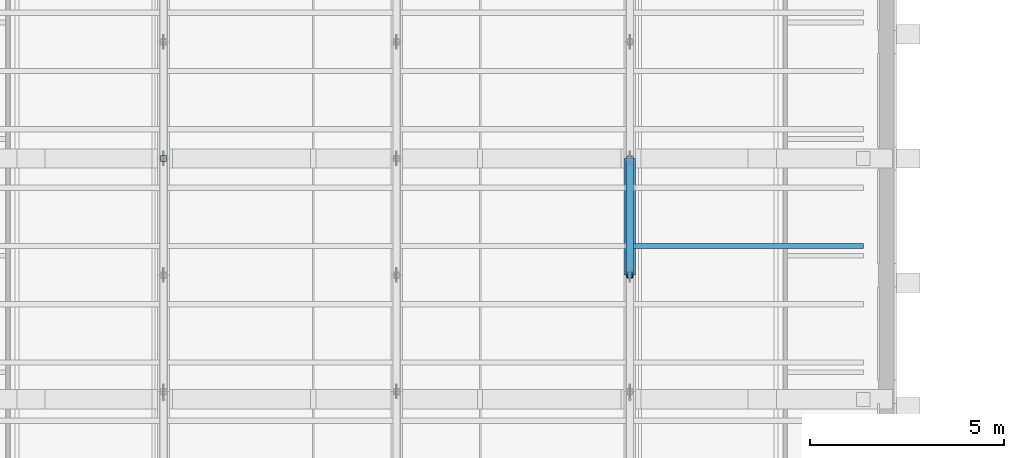
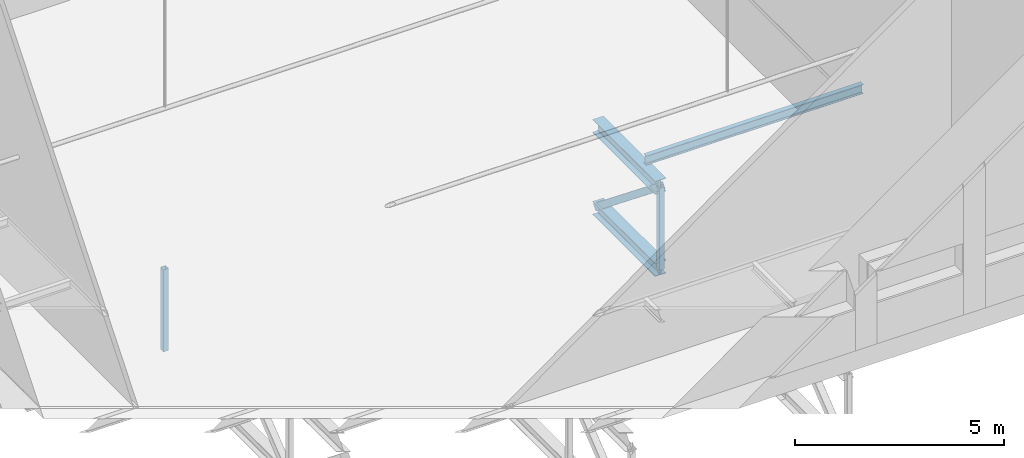
# One storey, part 15 of 55: 5 members, 1 beam.
"""IFC4 building model written with IfcOpenShell, lengths in metres."""

from ifc_helpers import new_model, si_unit, direction, frame, origin, origin_2d, place, context, subcontext, project, spatial, hollow_rectangle, i_section, extrude, material, material_profile, profile_set, type_object, element, save


model = new_model("IFC4")

# Units and contexts
model_context = context("Model", 3, precision=1e-05, world=origin(), true_north=direction((0.0, 1.0)))
body_context = subcontext(model_context, "Body", "Model", "MODEL_VIEW")
ifc_project = project(units=[si_unit("LENGTHUNIT", "METRE"), si_unit("AREAUNIT", "SQUARE_METRE"), si_unit("VOLUMEUNIT", "CUBIC_METRE"), si_unit("PLANEANGLEUNIT", "RADIAN"), si_unit("MASSUNIT", "GRAM", prefix="KILO")], contexts=[model_context])

# Site, building, storey
site_placement = place(None, origin())
site = spatial("IfcSite", under=ifc_project, at=site_placement, CompositionType="ELEMENT")
building_placement = place(site_placement, origin())
building = spatial("IfcBuilding", under=site, at=building_placement, Name="Lunette Opera House", CompositionType="ELEMENT")
storey_placement = place(building_placement, frame((0.0, 0.0, 34.0)))
storey = spatial("IfcBuildingStorey", under=building, at=storey_placement, Name="L06", CompositionType="ELEMENT", Elevation=34.0)

# Members
ifc_material_1 = material(Name="Steel S355", Category="steel")
ifc_material_profile_1 = material_profile(ifc_material_1, i_section(OverallWidth=0.300048828125, OverallDepth=0.389892578125, WebThickness=0.010986328125, FlangeThickness=0.01904296875, FilletRadius=0.027099609375, at=origin_2d()), Name="HEA 400")
ifc_profile_set_1 = profile_set([ifc_material_profile_1], Name="Steel S355")
member_type_1 = type_object("IfcMemberType", Name="CHORD HEA 400", PredefinedType="CHORD", material=ifc_profile_set_1)
for number, where, z_axis, x_axis, name in (
    (1, (102.0, 105.0, -0.6650390625), (0.0, 1.0, 0.0), (-1.0, 0.0, 0.0), "mem-ST-L06-ST-TR03-TC4"),
    (2, (102.0, 105.0, -3.06494140625), (0.0, 1.0, 0.0), (-1.0, 0.0, 0.0), "mem-ST-L06-ST-TR03-BC4"),
):
    element("IfcMember", number, at=place(storey_placement, frame(where, z_axis=z_axis, x_axis=x_axis)), inside=storey, type_object=member_type_1, Name=name, PredefinedType="CHORD", context=body_context, shape_type="SweptSolid", body=[
        extrude(i_section(OverallWidth=0.300048828125, OverallDepth=0.389892578125, WebThickness=0.010986328125, FlangeThickness=0.01904296875, FilletRadius=0.027099609375, at=origin_2d()), origin(), (0.0, 0.0, 1.0), 3.0),
    ])
ifc_material_2 = material(Name="Steel S355", Category="steel")
ifc_material_profile_2 = material_profile(ifc_material_2, hollow_rectangle(XDim=0.199951171875, YDim=0.199951171875, WallThickness=0.008056640625, InnerFilletRadius=0.008056640625, OuterFilletRadius=0.01611328125, at=origin_2d()), Name="RHS 200X200X8")
ifc_profile_set_2 = profile_set([ifc_material_profile_2], Name="Steel S355")
member_type_2 = type_object("IfcMemberType", Name="DIAGONAL RHS 200X200X8", PredefinedType="BRACE", material=ifc_profile_set_2)
member_placement = place(storey_placement, frame((102.0, 105.0, -0.6650390625), z_axis=(0.0, 0.780881208953, -0.624679547852), x_axis=(-1.0, 0.0, 0.0)))
element("IfcMember", 3, at=member_placement, inside=storey, type_object=member_type_2, Name="mem-ST-L06-ST-TR03-TD4", PredefinedType="BRACE", context=body_context, shape_type="SweptSolid", body=[
    extrude(hollow_rectangle(XDim=0.199951171875, YDim=0.199951171875, WallThickness=0.008056640625, InnerFilletRadius=0.008056640625, OuterFilletRadius=0.01611328125, at=origin_2d()), origin(), (0.0, 0.0, 1.0), 3.841796875),
])

# Beam
ifc_material_3 = material(Name="Steel S355", Category="steel")
ifc_material_profile_3 = material_profile(ifc_material_3, i_section(OverallWidth=0.135009765625, OverallDepth=0.27001953125, WebThickness=0.006591796875, FlangeThickness=0.01025390625, FilletRadius=0.014892578125, at=origin_2d()), Name="IPE 270")
ifc_profile_set_3 = profile_set([ifc_material_profile_3], Name="Steel S355")
beam_type = type_object("IfcBeamType", Name="STEEL BEAM IPE 270", PredefinedType="BEAM", material=ifc_profile_set_3)
beam_placement = place(storey_placement, frame((102.0, 105.75, -0.3349609375), z_axis=(1.0, 0.0, 0.0), x_axis=(0.0, 1.0, 0.0)))
element("IfcBeam", 4, at=beam_placement, inside=storey, type_object=beam_type, Name="beam-ST-L06-GRID-10575-4", PredefinedType="BEAM", context=body_context, shape_type="SweptSolid", body=[
    extrude(i_section(OverallWidth=0.135009765625, OverallDepth=0.27001953125, WebThickness=0.006591796875, FlangeThickness=0.01025390625, FilletRadius=0.014892578125, at=origin_2d()), origin(), (0.0, 0.0, 1.0), 6.010009765625),
])

# Members
ifc_material_4 = material(Name="Steel S355", Category="steel")
ifc_material_profile_4 = material_profile(ifc_material_4, hollow_rectangle(XDim=0.14990234375, YDim=0.14990234375, WallThickness=0.008056640625, InnerFilletRadius=0.008056640625, OuterFilletRadius=0.01611328125, at=origin_2d()), Name="RHS 150X150X8")
ifc_profile_set_4 = profile_set([ifc_material_profile_4], Name="Steel S355")
member_type_3 = type_object("IfcMemberType", Name="VERTICAL RHS 150X150X8", PredefinedType="POST", material=ifc_profile_set_4)
for number, where, z_axis, x_axis, name in (
    (5, (90.0, 108.0, -3.06494140625), (0.0, 0.0, 1.0), (1.0, 0.0, 0.0), "mem-ST-L06-ST-TR01-TV5"),
    (6, (102.0, 105.0, -3.06494140625), (0.0, 0.0, 1.0), (1.0, 0.0, 0.0), "mem-ST-L06-ST-TR03-TV4"),
):
    element("IfcMember", number, at=place(storey_placement, frame(where, z_axis=z_axis, x_axis=x_axis)), inside=storey, type_object=member_type_3, Name=name, PredefinedType="POST", context=body_context, shape_type="SweptSolid", body=[
        extrude(hollow_rectangle(XDim=0.14990234375, YDim=0.14990234375, WallThickness=0.008056640625, InnerFilletRadius=0.008056640625, OuterFilletRadius=0.01611328125, at=origin_2d()), origin(), (0.0, 0.0, 1.0), 2.39990234375),
    ])

save(model, "model.ifc")
